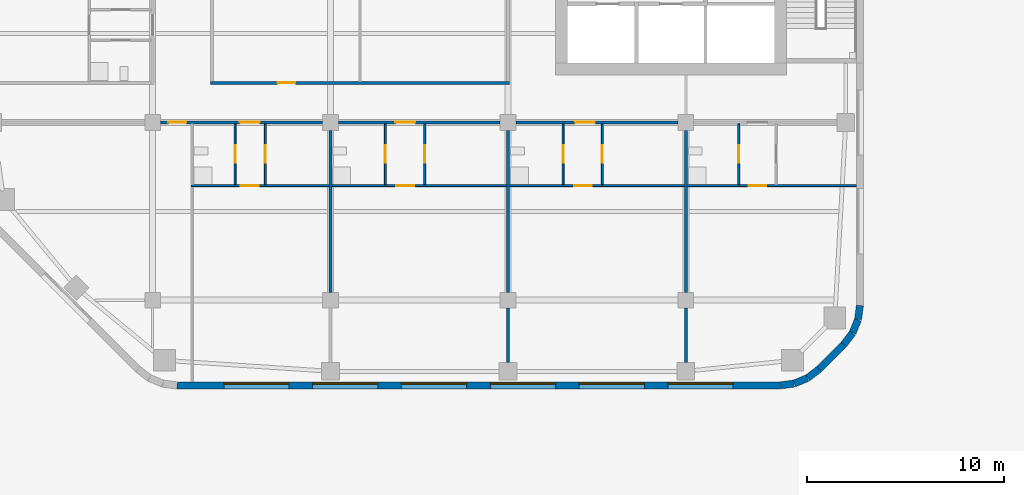
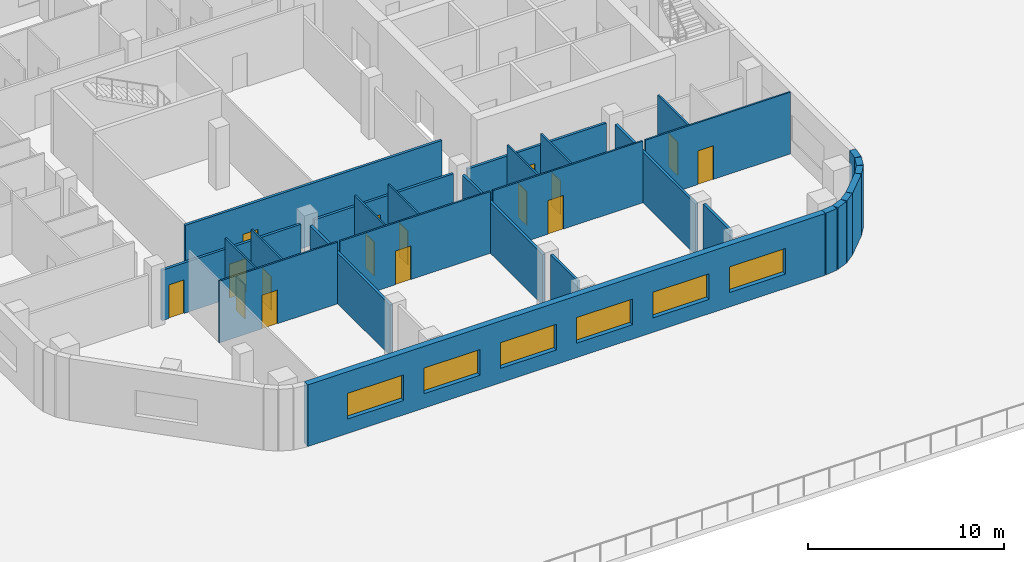
# One storey, part 5 of 18: 28 walls, 16 doors, 6 windows, 22 openings.
"""IFC4 building model written with IfcOpenShell, lengths in metres."""

from ifc_helpers import new_model, si_unit, direction, frame, frame_2d, origin, place, context, subcontext, project, spatial, rectangle, extrude, material, layer, layer_set, type_object, element, fill, save


model = new_model("IFC4")

# Units and contexts
model_context = context("Model", 3, precision=1e-05, world=origin(), true_north=direction((0.0, 1.0)))
body_context = subcontext(model_context, "Body", "Model", "MODEL_VIEW")
ifc_project = project(units=[si_unit("LENGTHUNIT", "METRE"), si_unit("AREAUNIT", "SQUARE_METRE"), si_unit("VOLUMEUNIT", "CUBIC_METRE"), si_unit("PLANEANGLEUNIT", "RADIAN"), si_unit("MASSUNIT", "GRAM", prefix="KILO")], contexts=[model_context])

# Site, building, storey
site_placement = place(None, origin())
site = spatial("IfcSite", under=ifc_project, at=site_placement, CompositionType="ELEMENT")
building_placement = place(site_placement, origin())
building = spatial("IfcBuilding", under=site, at=building_placement, Name="Cinnabar Reach Civic Tower", CompositionType="ELEMENT")
storey_placement = place(building_placement, frame((0.0, 0.0, 26.0)))
storey = spatial("IfcBuildingStorey", under=building, at=storey_placement, Name="L05", CompositionType="ELEMENT", Elevation=26.0)

# Walls
ifc_material_1 = material(Name="Facing brick with insulated backing", Category="masonry")
ifc_layer_1 = layer(ifc_material_1, 0.36)
ifc_layer_set_1 = layer_set([ifc_layer_1], Name="Brick corner wall")
wall_type_1 = type_object("IfcWallType", Name="Brick corner wall", PredefinedType="STANDARD", material=ifc_layer_set_1)
for number, where, z_axis, x_axis, name in (
    (1, (-31.2314, 4.683, 0.0), (0.0, 0.0, 1.0), (0.99144092581, 0.13055608231, 0.0), "Brick corner wall"),
    (2, (-30.5027, 4.7819, 0.0), (0.0, 0.0, 1.0), (0.923871547278, 0.382702709855, 0.0), "Brick corner wall"),
):
    element("IfcWall", number, at=place(storey_placement, frame(where, z_axis=z_axis, x_axis=x_axis)), inside=storey, type_object=wall_type_1, Name=name, PredefinedType="STANDARD", context=body_context, shape_type="SweptSolid", body=[
        extrude(rectangle(XDim=0.7131, YDim=0.36, at=frame_2d((0.3565, 0.0))), origin(), (0.0, 0.0, 1.0), 3.85),
    ])
for number, where, z_axis, x_axis, name in (
    (3, (-29.8245, 5.066, 0.0), (0.0, 0.0, 1.0), (0.793321924995, 0.608802368033, 0.0), "Brick corner wall"),
    (4, (-28.0002, 6.7587, 0.0), (0.0, 0.0, 1.0), (0.608802368033, 0.793321924995, 0.0), "Brick corner wall"),
):
    element("IfcWall", number, at=place(storey_placement, frame(where, z_axis=z_axis, x_axis=x_axis)), inside=storey, type_object=wall_type_1, Name=name, PredefinedType="STANDARD", context=body_context, shape_type="SweptSolid", body=[
        extrude(rectangle(XDim=0.7132, YDim=0.36, at=frame_2d((0.3566, 0.0))), origin(), (0.0, 0.0, 1.0), 3.85),
    ])
for number, where, z_axis, x_axis, name in (
    (5, (-27.5548, 7.3439, 0.0), (0.0, 0.0, 1.0), (0.382702709855, 0.923871547278, 0.0), "Brick corner wall"),
    (6, (-27.2761, 8.0244, 0.0), (0.0, 0.0, 1.0), (0.13055608231, 0.99144092581, 0.0), "Brick corner wall"),
):
    element("IfcWall", number, at=place(storey_placement, frame(where, z_axis=z_axis, x_axis=x_axis)), inside=storey, type_object=wall_type_1, Name=name, PredefinedType="STANDARD", context=body_context, shape_type="SweptSolid", body=[
        extrude(rectangle(XDim=0.7131, YDim=0.36, at=frame_2d((0.3565, 0.0))), origin(), (0.0, 0.0, 1.0), 3.85),
    ])

# Wall, openings, windows
ifc_layer_2 = layer(ifc_material_1, 0.36)
ifc_layer_set_2 = layer_set([ifc_layer_2], Name="Brick pier and spandrel wall")
wall_type_2 = type_object("IfcWallType", Name="Brick pier and spandrel wall", PredefinedType="STANDARD", material=ifc_layer_set_2)
wall_1_placement = place(storey_placement, frame((-61.7574, 4.68, 0.0), z_axis=(0.0, 0.0, 1.0), x_axis=(1.0, 0.0, 0.0)))
wall_1 = element("IfcWall", 7, at=wall_1_placement, inside=storey, type_object=wall_type_2, Name="Brick facade wall", PredefinedType="STANDARD", context=body_context, shape_type="SweptSolid", body=[
    extrude(rectangle(XDim=30.5148, YDim=0.36, at=frame_2d((15.2574, 0.0))), origin(), (0.0, 0.0, 1.0), 3.85),
])
opening_1_placement = place(wall_1_placement, frame((2.3574, 0.0, 0.9)))
opening_1 = element("IfcOpeningElement", 8, at=opening_1_placement, cuts=wall_1, Name="Opening W2350", PredefinedType="OPENING", context=body_context, shape_type="SweptSolid", body=[
    extrude(rectangle(XDim=3.3, YDim=1.6, at=frame_2d((1.65, 0.8))), frame((0.0, 0.19, 0.0), z_axis=(0.0, -1.0, 0.0), x_axis=(1.0, 0.0, 0.0)), (0.0, 0.0, 1.0), 0.38),
])
opening_2_placement = place(wall_1_placement, frame((6.8574, 0.0, 0.9)))
opening_2 = element("IfcOpeningElement", 9, at=opening_2_placement, cuts=wall_1, Name="Opening W2351", PredefinedType="OPENING", context=body_context, shape_type="SweptSolid", body=[
    extrude(rectangle(XDim=3.3, YDim=1.6, at=frame_2d((1.65, 0.8))), frame((0.0, 0.19, 0.0), z_axis=(0.0, -1.0, 0.0), x_axis=(1.0, 0.0, 0.0)), (0.0, 0.0, 1.0), 0.38),
])
opening_3_placement = place(wall_1_placement, frame((11.3574, 0.0, 0.9)))
opening_3 = element("IfcOpeningElement", 10, at=opening_3_placement, cuts=wall_1, Name="Opening W2352", PredefinedType="OPENING", context=body_context, shape_type="SweptSolid", body=[
    extrude(rectangle(XDim=3.3, YDim=1.6, at=frame_2d((1.65, 0.8))), frame((0.0, 0.19, 0.0), z_axis=(0.0, -1.0, 0.0), x_axis=(1.0, 0.0, 0.0)), (0.0, 0.0, 1.0), 0.38),
])
opening_4_placement = place(wall_1_placement, frame((15.8574, 0.0, 0.9)))
opening_4 = element("IfcOpeningElement", 11, at=opening_4_placement, cuts=wall_1, Name="Opening W2353", PredefinedType="OPENING", context=body_context, shape_type="SweptSolid", body=[
    extrude(rectangle(XDim=3.3, YDim=1.6, at=frame_2d((1.65, 0.8))), frame((0.0, 0.19, 0.0), z_axis=(0.0, -1.0, 0.0), x_axis=(1.0, 0.0, 0.0)), (0.0, 0.0, 1.0), 0.38),
])
opening_5_placement = place(wall_1_placement, frame((20.3574, 0.0, 0.9)))
opening_5 = element("IfcOpeningElement", 12, at=opening_5_placement, cuts=wall_1, Name="Opening W2354", PredefinedType="OPENING", context=body_context, shape_type="SweptSolid", body=[
    extrude(rectangle(XDim=3.3, YDim=1.6, at=frame_2d((1.65, 0.8))), frame((0.0, 0.19, 0.0), z_axis=(0.0, -1.0, 0.0), x_axis=(1.0, 0.0, 0.0)), (0.0, 0.0, 1.0), 0.38),
])
opening_6_placement = place(wall_1_placement, frame((24.8574, 0.0, 0.9)))
opening_6 = element("IfcOpeningElement", 13, at=opening_6_placement, cuts=wall_1, Name="Opening W2355", PredefinedType="OPENING", context=body_context, shape_type="SweptSolid", body=[
    extrude(rectangle(XDim=3.3, YDim=1.6, at=frame_2d((1.65, 0.8))), frame((0.0, 0.19, 0.0), z_axis=(0.0, -1.0, 0.0), x_axis=(1.0, 0.0, 0.0)), (0.0, 0.0, 1.0), 0.38),
])
ifc_material_2 = material(Name="Clear double glazing in aluminium frame", Category="aluminium")
window_type = type_object("IfcWindowType", Name="Deep-set window A", PartitioningType="SINGLE_PANEL", PredefinedType="WINDOW", material=ifc_material_2)
window_1_placement = place(opening_1_placement, origin())
window_1 = element("IfcWindow", 14, at=window_1_placement, inside=storey, type_object=window_type, Name="Window south face", OverallHeight=1.6, OverallWidth=3.3, PartitioningType="SINGLE_PANEL", PredefinedType="WINDOW", context=body_context, shape_type="SweptSolid", body=[
    extrude(rectangle(XDim=3.3, YDim=1.6, at=frame_2d((1.65, 0.8))), frame((0.0, 0.13, 0.0), z_axis=(0.0, -1.0, 0.0), x_axis=(1.0, 0.0, 0.0)), (0.0, 0.0, 1.0), 0.06),
])
fill(opening_1, window_1)
window_2_placement = place(opening_2_placement, origin())
window_2 = element("IfcWindow", 15, at=window_2_placement, inside=storey, type_object=window_type, Name="Window south face", OverallHeight=1.6, OverallWidth=3.3, PartitioningType="SINGLE_PANEL", PredefinedType="WINDOW", context=body_context, shape_type="SweptSolid", body=[
    extrude(rectangle(XDim=3.3, YDim=1.6, at=frame_2d((1.65, 0.8))), frame((0.0, 0.13, 0.0), z_axis=(0.0, -1.0, 0.0), x_axis=(1.0, 0.0, 0.0)), (0.0, 0.0, 1.0), 0.06),
])
fill(opening_2, window_2)
window_3_placement = place(opening_3_placement, origin())
window_3 = element("IfcWindow", 16, at=window_3_placement, inside=storey, type_object=window_type, Name="Window south face", OverallHeight=1.6, OverallWidth=3.3, PartitioningType="SINGLE_PANEL", PredefinedType="WINDOW", context=body_context, shape_type="SweptSolid", body=[
    extrude(rectangle(XDim=3.3, YDim=1.6, at=frame_2d((1.65, 0.8))), frame((0.0, 0.13, 0.0), z_axis=(0.0, -1.0, 0.0), x_axis=(1.0, 0.0, 0.0)), (0.0, 0.0, 1.0), 0.06),
])
fill(opening_3, window_3)
window_4_placement = place(opening_4_placement, origin())
window_4 = element("IfcWindow", 17, at=window_4_placement, inside=storey, type_object=window_type, Name="Window south face", OverallHeight=1.6, OverallWidth=3.3, PartitioningType="SINGLE_PANEL", PredefinedType="WINDOW", context=body_context, shape_type="SweptSolid", body=[
    extrude(rectangle(XDim=3.3, YDim=1.6, at=frame_2d((1.65, 0.8))), frame((0.0, 0.13, 0.0), z_axis=(0.0, -1.0, 0.0), x_axis=(1.0, 0.0, 0.0)), (0.0, 0.0, 1.0), 0.06),
])
fill(opening_4, window_4)
window_5_placement = place(opening_5_placement, origin())
window_5 = element("IfcWindow", 18, at=window_5_placement, inside=storey, type_object=window_type, Name="Window south face", OverallHeight=1.6, OverallWidth=3.3, PartitioningType="SINGLE_PANEL", PredefinedType="WINDOW", context=body_context, shape_type="SweptSolid", body=[
    extrude(rectangle(XDim=3.3, YDim=1.6, at=frame_2d((1.65, 0.8))), frame((0.0, 0.13, 0.0), z_axis=(0.0, -1.0, 0.0), x_axis=(1.0, 0.0, 0.0)), (0.0, 0.0, 1.0), 0.06),
])
fill(opening_5, window_5)
window_6_placement = place(opening_6_placement, origin())
window_6 = element("IfcWindow", 19, at=window_6_placement, inside=storey, type_object=window_type, Name="Window south face", OverallHeight=1.6, OverallWidth=3.3, PartitioningType="SINGLE_PANEL", PredefinedType="WINDOW", context=body_context, shape_type="SweptSolid", body=[
    extrude(rectangle(XDim=3.3, YDim=1.6, at=frame_2d((1.65, 0.8))), frame((0.0, 0.13, 0.0), z_axis=(0.0, -1.0, 0.0), x_axis=(1.0, 0.0, 0.0)), (0.0, 0.0, 1.0), 0.06),
])
fill(opening_6, window_6)

# Wall
wall_2_placement = place(storey_placement, frame((-29.2486, 5.506, 0.0), z_axis=(0.0, 0.0, 1.0), x_axis=(0.707106781187, 0.707106781187, 0.0)))
element("IfcWall", 20, at=wall_2_placement, inside=storey, type_object=wall_type_2, Name="Brick facade wall", PredefinedType="STANDARD", context=body_context, shape_type="SweptSolid", body=[
    extrude(rectangle(XDim=1.7573, YDim=0.36, at=frame_2d((0.8787, 0.0))), origin(), (0.0, 0.0, 1.0), 3.85),
])

# Wall, opening, door
ifc_material_3 = material(Name="Gypsum board on steel studs, double layer", Category="steel")
ifc_layer_3 = layer(ifc_material_3, 0.15)
ifc_layer_set_3 = layer_set([ifc_layer_3], Name="Corridor wall 150 T2")
wall_type_3 = type_object("IfcWallType", Name="Corridor wall 150 T2", PredefinedType="PARTITIONING", material=ifc_layer_set_3)
wall_3_placement = place(storey_placement, frame((-44.6, 18.0, 0.0), z_axis=(0.0, 0.0, 1.0), x_axis=(1.0, 0.0, 0.0)))
wall_3 = element("IfcWall", 21, at=wall_3_placement, inside=storey, type_object=wall_type_3, Name="Corridor wall 2", PredefinedType="PARTITIONING", context=body_context, shape_type="SweptSolid", body=[
    extrude(rectangle(XDim=8.2, YDim=0.15, at=frame_2d((4.1, 0.0))), origin(), (0.0, 0.0, 1.0), 3.15),
])
opening_7_placement = place(wall_3_placement, frame((3.0, 0.0, 0.0)))
opening_7 = element("IfcOpeningElement", 22, at=opening_7_placement, cuts=wall_3, Name="Opening D6118", PredefinedType="OPENING", context=body_context, shape_type="SweptSolid", body=[
    extrude(rectangle(XDim=1.0, YDim=2.1, at=frame_2d((0.5, 1.05))), frame((0.0, 0.085, 0.0), z_axis=(0.0, -1.0, 0.0), x_axis=(1.0, 0.0, 0.0)), (0.0, 0.0, 1.0), 0.17),
])
ifc_material_4 = material(Name="Timber door leaf in steel frame", Category="steel")
door_type_1 = type_object("IfcDoorType", Name="Tenancy entrance door 1000 x 2100 T2", OperationType="SINGLE_SWING_LEFT", PredefinedType="DOOR", material=ifc_material_4)
door_1_placement = place(opening_7_placement, frame((1.0, 0.0, 0.0), z_axis=(0.0, 0.0, 1.0), x_axis=(-1.0, 0.0, 0.0)))
door_1 = element("IfcDoor", 23, at=door_1_placement, inside=storey, type_object=door_type_1, Name="Door D6118", OperationType="SINGLE_SWING_LEFT", OverallHeight=2.1, OverallWidth=1.0, PredefinedType="DOOR", context=body_context, shape_type="SweptSolid", body=[
    extrude(rectangle(XDim=1.0, YDim=2.1, at=frame_2d((0.5, 1.05))), frame((0.0, 0.025, 0.0), z_axis=(0.0, -1.0, 0.0), x_axis=(1.0, 0.0, 0.0)), (0.0, 0.0, 1.0), 0.05),
])
fill(opening_7, door_1)

wall_4_placement = place(storey_placement, frame((-53.6, 18.0, 0.0), z_axis=(0.0, 0.0, 1.0), x_axis=(1.0, 0.0, 0.0)))
wall_4 = element("IfcWall", 24, at=wall_4_placement, inside=storey, type_object=wall_type_3, Name="Corridor wall 3", PredefinedType="PARTITIONING", context=body_context, shape_type="SweptSolid", body=[
    extrude(rectangle(XDim=8.2, YDim=0.15, at=frame_2d((4.1, 0.0))), origin(), (0.0, 0.0, 1.0), 3.15),
])
opening_8_placement = place(wall_4_placement, frame((2.89, 0.0, 0.0)))
opening_8 = element("IfcOpeningElement", 25, at=opening_8_placement, cuts=wall_4, Name="Opening D6114", PredefinedType="OPENING", context=body_context, shape_type="SweptSolid", body=[
    extrude(rectangle(XDim=1.0, YDim=2.1, at=frame_2d((0.5, 1.05))), frame((0.0, 0.085, 0.0), z_axis=(0.0, -1.0, 0.0), x_axis=(1.0, 0.0, 0.0)), (0.0, 0.0, 1.0), 0.17),
])
door_2_placement = place(opening_8_placement, frame((1.0, 0.0, 0.0), z_axis=(0.0, 0.0, 1.0), x_axis=(-1.0, 0.0, 0.0)))
door_2 = element("IfcDoor", 26, at=door_2_placement, inside=storey, type_object=door_type_1, Name="Door D6114", OperationType="SINGLE_SWING_RIGHT", OverallHeight=2.1, OverallWidth=1.0, PredefinedType="DOOR", context=body_context, shape_type="SweptSolid", body=[
    extrude(rectangle(XDim=1.0, YDim=2.1, at=frame_2d((0.5, 1.05))), frame((0.0, 0.025, 0.0), z_axis=(0.0, -1.0, 0.0), x_axis=(1.0, 0.0, 0.0)), (0.0, 0.0, 1.0), 0.05),
])
fill(opening_8, door_2)

# Wall, openings, doors
wall_5_placement = place(storey_placement, frame((-62.6, 18.0, 0.0), z_axis=(0.0, 0.0, 1.0), x_axis=(1.0, 0.0, 0.0)))
wall_5 = element("IfcWall", 27, at=wall_5_placement, inside=storey, type_object=wall_type_3, Name="Corridor wall 4", PredefinedType="PARTITIONING", context=body_context, shape_type="SweptSolid", body=[
    extrude(rectangle(XDim=8.2, YDim=0.15, at=frame_2d((4.1, 0.0))), origin(), (0.0, 0.0, 1.0), 3.15),
])
opening_9_placement = place(wall_5_placement, frame((0.4, 0.0, 0.0)))
opening_9 = element("IfcOpeningElement", 28, at=opening_9_placement, cuts=wall_5, Name="Opening D6106", PredefinedType="OPENING", context=body_context, shape_type="SweptSolid", body=[
    extrude(rectangle(XDim=0.9, YDim=2.1, at=frame_2d((0.45, 1.05))), frame((0.0, 0.085, 0.0), z_axis=(0.0, -1.0, 0.0), x_axis=(1.0, 0.0, 0.0)), (0.0, 0.0, 1.0), 0.17),
])
opening_10_placement = place(wall_5_placement, frame((4.02, 0.0, 0.0)))
opening_10 = element("IfcOpeningElement", 29, at=opening_10_placement, cuts=wall_5, Name="Opening D6110", PredefinedType="OPENING", context=body_context, shape_type="SweptSolid", body=[
    extrude(rectangle(XDim=1.0, YDim=2.1, at=frame_2d((0.5, 1.05))), frame((0.0, 0.085, 0.0), z_axis=(0.0, -1.0, 0.0), x_axis=(1.0, 0.0, 0.0)), (0.0, 0.0, 1.0), 0.17),
])
door_type_2 = type_object("IfcDoorType", Name="Single swing door 900 x 2100 T2", OperationType="SINGLE_SWING_LEFT", PredefinedType="DOOR", material=ifc_material_4)
door_3_placement = place(opening_9_placement, frame((0.9, 0.0, 0.0), z_axis=(0.0, 0.0, 1.0), x_axis=(-1.0, 0.0, 0.0)))
door_3 = element("IfcDoor", 30, at=door_3_placement, inside=storey, type_object=door_type_2, Name="Door D6106", OperationType="SINGLE_SWING_LEFT", OverallHeight=2.1, OverallWidth=0.9, PredefinedType="DOOR", context=body_context, shape_type="SweptSolid", body=[
    extrude(rectangle(XDim=0.9, YDim=2.1, at=frame_2d((0.45, 1.05))), frame((0.0, 0.025, 0.0), z_axis=(0.0, -1.0, 0.0), x_axis=(1.0, 0.0, 0.0)), (0.0, 0.0, 1.0), 0.05),
])
fill(opening_9, door_3)
door_4_placement = place(opening_10_placement, frame((1.0, 0.0, 0.0), z_axis=(0.0, 0.0, 1.0), x_axis=(-1.0, 0.0, 0.0)))
door_4 = element("IfcDoor", 31, at=door_4_placement, inside=storey, type_object=door_type_1, Name="Door D6110", OperationType="SINGLE_SWING_RIGHT", OverallHeight=2.1, OverallWidth=1.0, PredefinedType="DOOR", context=body_context, shape_type="SweptSolid", body=[
    extrude(rectangle(XDim=1.0, YDim=2.1, at=frame_2d((0.5, 1.05))), frame((0.0, 0.025, 0.0), z_axis=(0.0, -1.0, 0.0), x_axis=(1.0, 0.0, 0.0)), (0.0, 0.0, 1.0), 0.05),
])
fill(opening_10, door_4)

# Wall, opening, door
wall_6_placement = place(storey_placement, frame((-60.075, 20.0, 0.0), z_axis=(0.0, 0.0, 1.0), x_axis=(1.0, 0.0, 0.0)))
wall_6 = element("IfcWall", 32, at=wall_6_placement, inside=storey, type_object=wall_type_3, Name="Corridor wall 10", PredefinedType="PARTITIONING", context=body_context, shape_type="SweptSolid", body=[
    extrude(rectangle(XDim=15.15, YDim=0.15, at=frame_2d((7.575, 0.0))), origin(), (0.0, 0.0, 1.0), 3.85),
])
opening_11_placement = place(wall_6_placement, frame((3.4, 0.0, 0.0)))
opening_11 = element("IfcOpeningElement", 33, at=opening_11_placement, cuts=wall_6, Name="Opening D6144", PredefinedType="OPENING", context=body_context, shape_type="SweptSolid", body=[
    extrude(rectangle(XDim=0.9, YDim=2.1, at=frame_2d((0.45, 1.05))), frame((0.0, 0.085, 0.0), z_axis=(0.0, -1.0, 0.0), x_axis=(1.0, 0.0, 0.0)), (0.0, 0.0, 1.0), 0.17),
])
door_5_placement = place(opening_11_placement, origin())
door_5 = element("IfcDoor", 34, at=door_5_placement, inside=storey, type_object=door_type_2, Name="Door D6144", OperationType="SINGLE_SWING_LEFT", OverallHeight=2.1, OverallWidth=0.9, PredefinedType="DOOR", context=body_context, shape_type="SweptSolid", body=[
    extrude(rectangle(XDim=0.9, YDim=2.1, at=frame_2d((0.45, 1.05))), frame((0.0, 0.025, 0.0), z_axis=(0.0, -1.0, 0.0), x_axis=(1.0, 0.0, 0.0)), (0.0, 0.0, 1.0), 0.05),
])
fill(opening_11, door_5)

ifc_material_5 = material(Name="Gypsum board on steel studs", Category="steel")
ifc_layer_4 = layer(ifc_material_5, 0.1)
ifc_layer_set_4 = layer_set([ifc_layer_4], Name="Partition wall 100 T2")
wall_type_4 = type_object("IfcWallType", Name="Partition wall 100 T2", PredefinedType="PARTITIONING", material=ifc_layer_set_4)
wall_7_placement = place(storey_placement, frame((-61.05, 14.8, 0.0), z_axis=(0.0, 0.0, 1.0), x_axis=(1.0, 0.0, 0.0)))
wall_7 = element("IfcWall", 35, at=wall_7_placement, inside=storey, type_object=wall_type_4, Name="Partition wall 28", PredefinedType="PARTITIONING", context=body_context, shape_type="SweptSolid", body=[
    extrude(rectangle(XDim=6.975, YDim=0.1, at=frame_2d((3.4875, 0.0))), origin(), (0.0, 0.0, 1.0), 3.85),
])
opening_12_placement = place(wall_7_placement, frame((2.52, 0.0, 0.0)))
opening_12 = element("IfcOpeningElement", 36, at=opening_12_placement, cuts=wall_7, Name="Opening D6109", PredefinedType="OPENING", context=body_context, shape_type="SweptSolid", body=[
    extrude(rectangle(XDim=0.9, YDim=2.1, at=frame_2d((0.45, 1.05))), frame((0.0, 0.06, 0.0), z_axis=(0.0, -1.0, 0.0), x_axis=(1.0, 0.0, 0.0)), (0.0, 0.0, 1.0), 0.12),
])
door_6_placement = place(opening_12_placement, origin())
door_6 = element("IfcDoor", 37, at=door_6_placement, inside=storey, type_object=door_type_2, Name="Door D6109", OperationType="SINGLE_SWING_LEFT", OverallHeight=2.1, OverallWidth=0.9, PredefinedType="DOOR", context=body_context, shape_type="SweptSolid", body=[
    extrude(rectangle(XDim=0.9, YDim=2.1, at=frame_2d((0.45, 1.05))), frame((0.0, 0.025, 0.0), z_axis=(0.0, -1.0, 0.0), x_axis=(1.0, 0.0, 0.0)), (0.0, 0.0, 1.0), 0.05),
])
fill(opening_12, door_6)

wall_8_placement = place(storey_placement, frame((-53.925, 14.8, 0.0), z_axis=(0.0, 0.0, 1.0), x_axis=(1.0, 0.0, 0.0)))
wall_8 = element("IfcWall", 38, at=wall_8_placement, inside=storey, type_object=wall_type_4, Name="Partition wall 29", PredefinedType="PARTITIONING", context=body_context, shape_type="SweptSolid", body=[
    extrude(rectangle(XDim=8.85, YDim=0.1, at=frame_2d((4.425, 0.0))), origin(), (0.0, 0.0, 1.0), 3.85),
])
opening_13_placement = place(wall_8_placement, frame((3.265, 0.0, 0.0)))
opening_13 = element("IfcOpeningElement", 39, at=opening_13_placement, cuts=wall_8, Name="Opening D6113", PredefinedType="OPENING", context=body_context, shape_type="SweptSolid", body=[
    extrude(rectangle(XDim=0.9, YDim=2.1, at=frame_2d((0.45, 1.05))), frame((0.0, 0.06, 0.0), z_axis=(0.0, -1.0, 0.0), x_axis=(1.0, 0.0, 0.0)), (0.0, 0.0, 1.0), 0.12),
])
door_7_placement = place(opening_13_placement, origin())
door_7 = element("IfcDoor", 40, at=door_7_placement, inside=storey, type_object=door_type_2, Name="Door D6113", OperationType="SINGLE_SWING_RIGHT", OverallHeight=2.1, OverallWidth=0.9, PredefinedType="DOOR", context=body_context, shape_type="SweptSolid", body=[
    extrude(rectangle(XDim=0.9, YDim=2.1, at=frame_2d((0.45, 1.05))), frame((0.0, 0.025, 0.0), z_axis=(0.0, -1.0, 0.0), x_axis=(1.0, 0.0, 0.0)), (0.0, 0.0, 1.0), 0.05),
])
fill(opening_13, door_7)

wall_9_placement = place(storey_placement, frame((-44.925, 14.8, 0.0), z_axis=(0.0, 0.0, 1.0), x_axis=(1.0, 0.0, 0.0)))
wall_9 = element("IfcWall", 41, at=wall_9_placement, inside=storey, type_object=wall_type_4, Name="Partition wall 30", PredefinedType="PARTITIONING", context=body_context, shape_type="SweptSolid", body=[
    extrude(rectangle(XDim=8.85, YDim=0.1, at=frame_2d((4.425, 0.0))), origin(), (0.0, 0.0, 1.0), 3.85),
])
opening_14_placement = place(wall_9_placement, frame((3.265, 0.0, 0.0)))
opening_14 = element("IfcOpeningElement", 42, at=opening_14_placement, cuts=wall_9, Name="Opening D6117", PredefinedType="OPENING", context=body_context, shape_type="SweptSolid", body=[
    extrude(rectangle(XDim=0.9, YDim=2.1, at=frame_2d((0.45, 1.05))), frame((0.0, 0.06, 0.0), z_axis=(0.0, -1.0, 0.0), x_axis=(1.0, 0.0, 0.0)), (0.0, 0.0, 1.0), 0.12),
])
door_8_placement = place(opening_14_placement, origin())
door_8 = element("IfcDoor", 43, at=door_8_placement, inside=storey, type_object=door_type_2, Name="Door D6117", OperationType="SINGLE_SWING_RIGHT", OverallHeight=2.1, OverallWidth=0.9, PredefinedType="DOOR", context=body_context, shape_type="SweptSolid", body=[
    extrude(rectangle(XDim=0.9, YDim=2.1, at=frame_2d((0.45, 1.05))), frame((0.0, 0.025, 0.0), z_axis=(0.0, -1.0, 0.0), x_axis=(1.0, 0.0, 0.0)), (0.0, 0.0, 1.0), 0.05),
])
fill(opening_14, door_8)

wall_10_placement = place(storey_placement, frame((-35.925, 14.8, 0.0), z_axis=(0.0, 0.0, 1.0), x_axis=(1.0, 0.0, 0.0)))
wall_10 = element("IfcWall", 44, at=wall_10_placement, inside=storey, type_object=wall_type_4, Name="Partition wall 31", PredefinedType="PARTITIONING", context=body_context, shape_type="SweptSolid", body=[
    extrude(rectangle(XDim=8.565, YDim=0.1, at=frame_2d((4.2825, 0.0))), origin(), (0.0, 0.0, 1.0), 3.85),
])
opening_15_placement = place(wall_10_placement, frame((3.1034, 0.0, 0.0)))
opening_15 = element("IfcOpeningElement", 45, at=opening_15_placement, cuts=wall_10, Name="Opening D6121", PredefinedType="OPENING", context=body_context, shape_type="SweptSolid", body=[
    extrude(rectangle(XDim=0.9, YDim=2.1, at=frame_2d((0.45, 1.05))), frame((0.0, 0.06, 0.0), z_axis=(0.0, -1.0, 0.0), x_axis=(1.0, 0.0, 0.0)), (0.0, 0.0, 1.0), 0.12),
])
door_9_placement = place(opening_15_placement, origin())
door_9 = element("IfcDoor", 46, at=door_9_placement, inside=storey, type_object=door_type_2, Name="Door D6121", OperationType="SINGLE_SWING_RIGHT", OverallHeight=2.1, OverallWidth=0.9, PredefinedType="DOOR", context=body_context, shape_type="SweptSolid", body=[
    extrude(rectangle(XDim=0.9, YDim=2.1, at=frame_2d((0.45, 1.05))), frame((0.0, 0.025, 0.0), z_axis=(0.0, -1.0, 0.0), x_axis=(1.0, 0.0, 0.0)), (0.0, 0.0, 1.0), 0.05),
])
fill(opening_15, door_9)

wall_11_placement = place(storey_placement, frame((-58.83, 14.85, 0.0), z_axis=(0.0, 0.0, 1.0), x_axis=(0.0, 1.0, 0.0)))
wall_11 = element("IfcWall", 47, at=wall_11_placement, inside=storey, type_object=wall_type_4, Name="Partition wall 53", PredefinedType="PARTITIONING", context=body_context, shape_type="SweptSolid", body=[
    extrude(rectangle(XDim=3.075, YDim=0.1, at=frame_2d((1.5375, 0.0))), origin(), (0.0, 0.0, 1.0), 3.85),
])
opening_16_placement = place(wall_11_placement, frame((1.1, 0.0, 0.0)))
opening_16 = element("IfcOpeningElement", 48, at=opening_16_placement, cuts=wall_11, Name="Opening D6107", PredefinedType="OPENING", context=body_context, shape_type="SweptSolid", body=[
    extrude(rectangle(XDim=0.9, YDim=2.1, at=frame_2d((0.45, 1.05))), frame((0.0, 0.06, 0.0), z_axis=(0.0, -1.0, 0.0), x_axis=(1.0, 0.0, 0.0)), (0.0, 0.0, 1.0), 0.12),
])
door_10_placement = place(opening_16_placement, origin())
door_10 = element("IfcDoor", 49, at=door_10_placement, inside=storey, type_object=door_type_2, Name="Door D6107", OperationType="SINGLE_SWING_RIGHT", OverallHeight=2.1, OverallWidth=0.9, PredefinedType="DOOR", context=body_context, shape_type="SweptSolid", body=[
    extrude(rectangle(XDim=0.9, YDim=2.1, at=frame_2d((0.45, 1.05))), frame((0.0, 0.025, 0.0), z_axis=(0.0, -1.0, 0.0), x_axis=(1.0, 0.0, 0.0)), (0.0, 0.0, 1.0), 0.05),
])
fill(opening_16, door_10)

wall_12_placement = place(storey_placement, frame((-57.29, 14.85, 0.0), z_axis=(0.0, 0.0, 1.0), x_axis=(0.0, 1.0, 0.0)))
wall_12 = element("IfcWall", 50, at=wall_12_placement, inside=storey, type_object=wall_type_4, Name="Partition wall 54", PredefinedType="PARTITIONING", context=body_context, shape_type="SweptSolid", body=[
    extrude(rectangle(XDim=3.075, YDim=0.1, at=frame_2d((1.5375, 0.0))), origin(), (0.0, 0.0, 1.0), 3.85),
])
opening_17_placement = place(wall_12_placement, frame((1.1, 0.0, 0.0)))
opening_17 = element("IfcOpeningElement", 51, at=opening_17_placement, cuts=wall_12, Name="Opening D6108", PredefinedType="OPENING", context=body_context, shape_type="SweptSolid", body=[
    extrude(rectangle(XDim=0.9, YDim=2.1, at=frame_2d((0.45, 1.05))), frame((0.0, 0.06, 0.0), z_axis=(0.0, -1.0, 0.0), x_axis=(1.0, 0.0, 0.0)), (0.0, 0.0, 1.0), 0.12),
])
door_11_placement = place(opening_17_placement, origin())
door_11 = element("IfcDoor", 52, at=door_11_placement, inside=storey, type_object=door_type_2, Name="Door D6108", OperationType="SINGLE_SWING_RIGHT", OverallHeight=2.1, OverallWidth=0.9, PredefinedType="DOOR", context=body_context, shape_type="SweptSolid", body=[
    extrude(rectangle(XDim=0.9, YDim=2.1, at=frame_2d((0.45, 1.05))), frame((0.0, 0.025, 0.0), z_axis=(0.0, -1.0, 0.0), x_axis=(1.0, 0.0, 0.0)), (0.0, 0.0, 1.0), 0.05),
])
fill(opening_17, door_11)

wall_13_placement = place(storey_placement, frame((-51.21, 14.85, 0.0), z_axis=(0.0, 0.0, 1.0), x_axis=(0.0, 1.0, 0.0)))
wall_13 = element("IfcWall", 53, at=wall_13_placement, inside=storey, type_object=wall_type_4, Name="Partition wall 55", PredefinedType="PARTITIONING", context=body_context, shape_type="SweptSolid", body=[
    extrude(rectangle(XDim=3.075, YDim=0.1, at=frame_2d((1.5375, 0.0))), origin(), (0.0, 0.0, 1.0), 3.85),
])
opening_18_placement = place(wall_13_placement, frame((1.1, 0.0, 0.0)))
opening_18 = element("IfcOpeningElement", 54, at=opening_18_placement, cuts=wall_13, Name="Opening D6111", PredefinedType="OPENING", context=body_context, shape_type="SweptSolid", body=[
    extrude(rectangle(XDim=0.9, YDim=2.1, at=frame_2d((0.45, 1.05))), frame((0.0, 0.06, 0.0), z_axis=(0.0, -1.0, 0.0), x_axis=(1.0, 0.0, 0.0)), (0.0, 0.0, 1.0), 0.12),
])
door_12_placement = place(opening_18_placement, origin())
door_12 = element("IfcDoor", 55, at=door_12_placement, inside=storey, type_object=door_type_2, Name="Door D6111", OperationType="SINGLE_SWING_RIGHT", OverallHeight=2.1, OverallWidth=0.9, PredefinedType="DOOR", context=body_context, shape_type="SweptSolid", body=[
    extrude(rectangle(XDim=0.9, YDim=2.1, at=frame_2d((0.45, 1.05))), frame((0.0, 0.025, 0.0), z_axis=(0.0, -1.0, 0.0), x_axis=(1.0, 0.0, 0.0)), (0.0, 0.0, 1.0), 0.05),
])
fill(opening_18, door_12)

wall_14_placement = place(storey_placement, frame((-49.23, 14.85, 0.0), z_axis=(0.0, 0.0, 1.0), x_axis=(0.0, 1.0, 0.0)))
wall_14 = element("IfcWall", 56, at=wall_14_placement, inside=storey, type_object=wall_type_4, Name="Partition wall 56", PredefinedType="PARTITIONING", context=body_context, shape_type="SweptSolid", body=[
    extrude(rectangle(XDim=3.075, YDim=0.1, at=frame_2d((1.5375, 0.0))), origin(), (0.0, 0.0, 1.0), 3.85),
])
opening_19_placement = place(wall_14_placement, frame((1.1, 0.0, 0.0)))
opening_19 = element("IfcOpeningElement", 57, at=opening_19_placement, cuts=wall_14, Name="Opening D6112", PredefinedType="OPENING", context=body_context, shape_type="SweptSolid", body=[
    extrude(rectangle(XDim=0.9, YDim=2.1, at=frame_2d((0.45, 1.05))), frame((0.0, 0.06, 0.0), z_axis=(0.0, -1.0, 0.0), x_axis=(1.0, 0.0, 0.0)), (0.0, 0.0, 1.0), 0.12),
])
door_13_placement = place(opening_19_placement, origin())
door_13 = element("IfcDoor", 58, at=door_13_placement, inside=storey, type_object=door_type_2, Name="Door D6112", OperationType="SINGLE_SWING_RIGHT", OverallHeight=2.1, OverallWidth=0.9, PredefinedType="DOOR", context=body_context, shape_type="SweptSolid", body=[
    extrude(rectangle(XDim=0.9, YDim=2.1, at=frame_2d((0.45, 1.05))), frame((0.0, 0.025, 0.0), z_axis=(0.0, -1.0, 0.0), x_axis=(1.0, 0.0, 0.0)), (0.0, 0.0, 1.0), 0.05),
])
fill(opening_19, door_13)

wall_15_placement = place(storey_placement, frame((-42.21, 14.85, 0.0), z_axis=(0.0, 0.0, 1.0), x_axis=(0.0, 1.0, 0.0)))
wall_15 = element("IfcWall", 59, at=wall_15_placement, inside=storey, type_object=wall_type_4, Name="Partition wall 57", PredefinedType="PARTITIONING", context=body_context, shape_type="SweptSolid", body=[
    extrude(rectangle(XDim=3.075, YDim=0.1, at=frame_2d((1.5375, 0.0))), origin(), (0.0, 0.0, 1.0), 3.85),
])
opening_20_placement = place(wall_15_placement, frame((1.1, 0.0, 0.0)))
opening_20 = element("IfcOpeningElement", 60, at=opening_20_placement, cuts=wall_15, Name="Opening D6115", PredefinedType="OPENING", context=body_context, shape_type="SweptSolid", body=[
    extrude(rectangle(XDim=0.9, YDim=2.1, at=frame_2d((0.45, 1.05))), frame((0.0, 0.06, 0.0), z_axis=(0.0, -1.0, 0.0), x_axis=(1.0, 0.0, 0.0)), (0.0, 0.0, 1.0), 0.12),
])
door_14_placement = place(opening_20_placement, origin())
door_14 = element("IfcDoor", 61, at=door_14_placement, inside=storey, type_object=door_type_2, Name="Door D6115", OperationType="SINGLE_SWING_LEFT", OverallHeight=2.1, OverallWidth=0.9, PredefinedType="DOOR", context=body_context, shape_type="SweptSolid", body=[
    extrude(rectangle(XDim=0.9, YDim=2.1, at=frame_2d((0.45, 1.05))), frame((0.0, 0.025, 0.0), z_axis=(0.0, -1.0, 0.0), x_axis=(1.0, 0.0, 0.0)), (0.0, 0.0, 1.0), 0.05),
])
fill(opening_20, door_14)

wall_16_placement = place(storey_placement, frame((-40.23, 14.85, 0.0), z_axis=(0.0, 0.0, 1.0), x_axis=(0.0, 1.0, 0.0)))
wall_16 = element("IfcWall", 62, at=wall_16_placement, inside=storey, type_object=wall_type_4, Name="Partition wall 58", PredefinedType="PARTITIONING", context=body_context, shape_type="SweptSolid", body=[
    extrude(rectangle(XDim=3.075, YDim=0.1, at=frame_2d((1.5375, 0.0))), origin(), (0.0, 0.0, 1.0), 3.85),
])
opening_21_placement = place(wall_16_placement, frame((1.1, 0.0, 0.0)))
opening_21 = element("IfcOpeningElement", 63, at=opening_21_placement, cuts=wall_16, Name="Opening D6116", PredefinedType="OPENING", context=body_context, shape_type="SweptSolid", body=[
    extrude(rectangle(XDim=0.9, YDim=2.1, at=frame_2d((0.45, 1.05))), frame((0.0, 0.06, 0.0), z_axis=(0.0, -1.0, 0.0), x_axis=(1.0, 0.0, 0.0)), (0.0, 0.0, 1.0), 0.12),
])
door_15_placement = place(opening_21_placement, origin())
door_15 = element("IfcDoor", 64, at=door_15_placement, inside=storey, type_object=door_type_2, Name="Door D6116", OperationType="SINGLE_SWING_LEFT", OverallHeight=2.1, OverallWidth=0.9, PredefinedType="DOOR", context=body_context, shape_type="SweptSolid", body=[
    extrude(rectangle(XDim=0.9, YDim=2.1, at=frame_2d((0.45, 1.05))), frame((0.0, 0.025, 0.0), z_axis=(0.0, -1.0, 0.0), x_axis=(1.0, 0.0, 0.0)), (0.0, 0.0, 1.0), 0.05),
])
fill(opening_21, door_15)

wall_17_placement = place(storey_placement, frame((-33.3216, 14.85, 0.0), z_axis=(0.0, 0.0, 1.0), x_axis=(0.0, 1.0, 0.0)))
wall_17 = element("IfcWall", 65, at=wall_17_placement, inside=storey, type_object=wall_type_4, Name="Partition wall 59", PredefinedType="PARTITIONING", context=body_context, shape_type="SweptSolid", body=[
    extrude(rectangle(XDim=3.075, YDim=0.1, at=frame_2d((1.5375, 0.0))), origin(), (0.0, 0.0, 1.0), 3.85),
])
opening_22_placement = place(wall_17_placement, frame((1.1, 0.0, 0.0)))
opening_22 = element("IfcOpeningElement", 66, at=opening_22_placement, cuts=wall_17, Name="Opening D6119", PredefinedType="OPENING", context=body_context, shape_type="SweptSolid", body=[
    extrude(rectangle(XDim=0.9, YDim=2.1, at=frame_2d((0.45, 1.05))), frame((0.0, 0.06, 0.0), z_axis=(0.0, -1.0, 0.0), x_axis=(1.0, 0.0, 0.0)), (0.0, 0.0, 1.0), 0.12),
])
door_16_placement = place(opening_22_placement, origin())
door_16 = element("IfcDoor", 67, at=door_16_placement, inside=storey, type_object=door_type_2, Name="Door D6119", OperationType="SINGLE_SWING_LEFT", OverallHeight=2.1, OverallWidth=0.9, PredefinedType="DOOR", context=body_context, shape_type="SweptSolid", body=[
    extrude(rectangle(XDim=0.9, YDim=2.1, at=frame_2d((0.45, 1.05))), frame((0.0, 0.025, 0.0), z_axis=(0.0, -1.0, 0.0), x_axis=(1.0, 0.0, 0.0)), (0.0, 0.0, 1.0), 0.05),
])
fill(opening_22, door_16)

# Walls
ifc_layer_5 = layer(ifc_material_3, 0.15)
ifc_layer_set_5 = layer_set([ifc_layer_5], Name="Tenancy separating wall 150 T2")
wall_type_5 = type_object("IfcWallType", Name="Tenancy separating wall 150 T2", PredefinedType="PARTITIONING", material=ifc_layer_set_5)
for number, where, z_axis, x_axis, name in (
    (68, (-54.0, 9.4, 0.0), (0.0, 0.0, 1.0), (0.0, 1.0, 0.0), "Tenancy separating wall 19"),
    (69, (-45.0, 9.4, 0.0), (0.0, 0.0, 1.0), (0.0, 1.0, 0.0), "Tenancy separating wall 21"),
):
    element("IfcWall", number, at=place(storey_placement, frame(where, z_axis=z_axis, x_axis=x_axis)), inside=storey, type_object=wall_type_5, Name=name, PredefinedType="PARTITIONING", context=body_context, shape_type="SweptSolid", body=[
        extrude(rectangle(XDim=8.2, YDim=0.15, at=frame_2d((4.1, 0.0))), origin(), (0.0, 0.0, 1.0), 3.158),
    ])
wall_18_placement = place(storey_placement, frame((-45.0, 5.85, 0.0), z_axis=(0.0, 0.0, 1.0), x_axis=(0.0, 1.0, 0.0)))
element("IfcWall", 70, at=wall_18_placement, inside=storey, type_object=wall_type_5, Name="Tenancy separating wall 22", PredefinedType="PARTITIONING", context=body_context, shape_type="SweptSolid", body=[
    extrude(rectangle(XDim=2.75, YDim=0.15, at=frame_2d((1.375, 0.0))), origin(), (0.0, 0.0, 1.0), 3.652),
])
wall_19_placement = place(storey_placement, frame((-36.0, 9.4, 0.0), z_axis=(0.0, 0.0, 1.0), x_axis=(0.0, 1.0, 0.0)))
element("IfcWall", 71, at=wall_19_placement, inside=storey, type_object=wall_type_5, Name="Tenancy separating wall 23", PredefinedType="PARTITIONING", context=body_context, shape_type="SweptSolid", body=[
    extrude(rectangle(XDim=8.2, YDim=0.15, at=frame_2d((4.1, 0.0))), origin(), (0.0, 0.0, 1.0), 3.158),
])
wall_20_placement = place(storey_placement, frame((-36.0, 5.85, 0.0), z_axis=(0.0, 0.0, 1.0), x_axis=(0.0, 1.0, 0.0)))
element("IfcWall", 72, at=wall_20_placement, inside=storey, type_object=wall_type_5, Name="Tenancy separating wall 24", PredefinedType="PARTITIONING", context=body_context, shape_type="SweptSolid", body=[
    extrude(rectangle(XDim=2.75, YDim=0.15, at=frame_2d((1.375, 0.0))), origin(), (0.0, 0.0, 1.0), 3.652),
])

save(model, "model.ifc")
